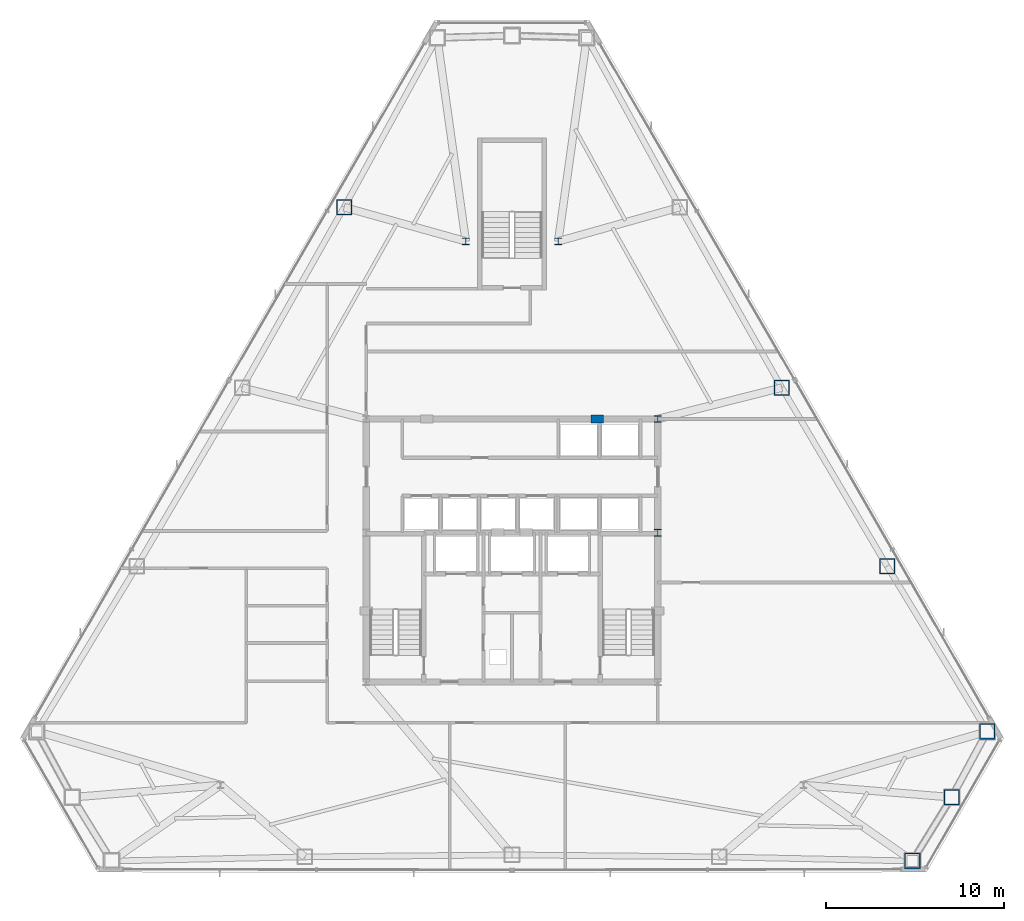
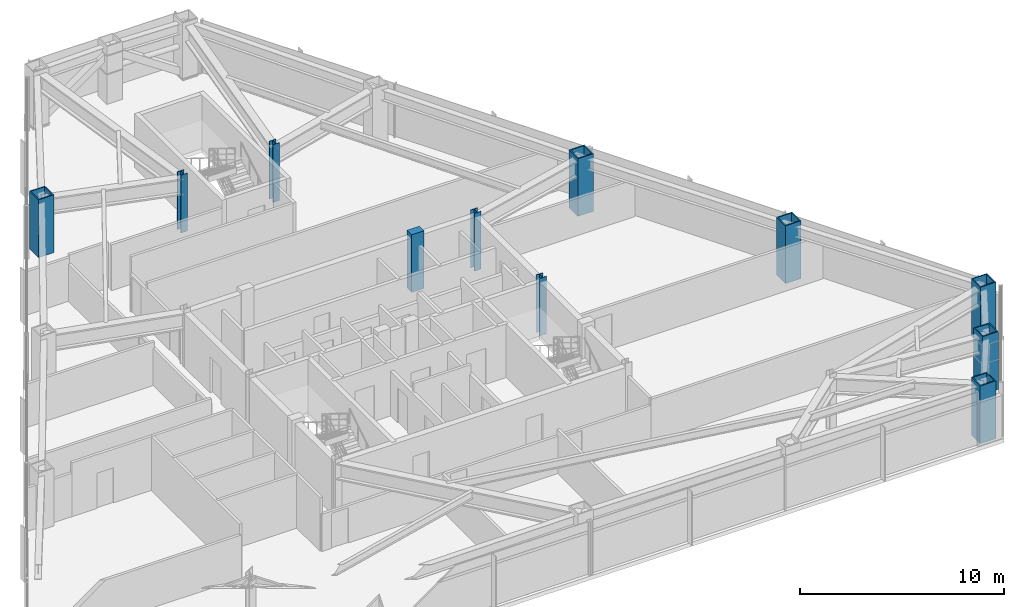
# One storey, part 2 of 13: 11 columns.
"""IFC4 building model written with IfcOpenShell, lengths in metres."""

from ifc_helpers import new_model, si_unit, direction, frame, origin, origin_2d, place, context, subcontext, project, spatial, rectangle, hollow_rectangle, i_section, extrude, material, material_profile, profile_set, type_object, element, save


model = new_model("IFC4")

# Units and contexts
model_context = context("Model", 3, precision=1e-05, world=origin(), true_north=direction((0.0, 1.0)))
body_context = subcontext(model_context, "Body", "Model", "MODEL_VIEW")
ifc_project = project(units=[si_unit("LENGTHUNIT", "METRE"), si_unit("AREAUNIT", "SQUARE_METRE"), si_unit("VOLUMEUNIT", "CUBIC_METRE"), si_unit("PLANEANGLEUNIT", "RADIAN"), si_unit("MASSUNIT", "GRAM", prefix="KILO")], contexts=[model_context])

# Site, building, storey
site_placement = place(None, origin())
site = spatial("IfcSite", under=ifc_project, at=site_placement, CompositionType="ELEMENT")
building_placement = place(site_placement, origin())
building = spatial("IfcBuilding", under=site, at=building_placement, Name="Varakhsha Concourse Tower", CompositionType="ELEMENT")
storey_placement = place(building_placement, frame((0.0, 0.0, 126.35009765625)))
storey = spatial("IfcBuildingStorey", under=building, at=storey_placement, Name="L36", CompositionType="ELEMENT", Elevation=126.35009765625)

# Columns
ifc_material_1 = material(Name="Structural Steel ASTM A992 Grade 50", Category="steel")
ifc_material_profile_1 = material_profile(ifc_material_1, i_section(OverallWidth=0.3740234375, OverallDepth=0.3720703125, WebThickness=0.01611328125, FlangeThickness=0.02587890625, at=origin_2d()), Name="W14X132")
ifc_profile_set_1 = profile_set([ifc_material_profile_1], Name="Structural Steel ASTM A992 Grade 50")
column_type_1 = type_object("IfcColumnType", Name="CL-CORE-W14X132", PredefinedType="COLUMN", material=ifc_profile_set_1)
for number, where, z_axis, x_axis, name in (
    (1, (48.199951171875, 24.800048828125, 0.0), (0.0, 0.0, 1.0), (1.0, 0.0, 0.0), "L36 Core Column CC-ME"),
    (2, (48.199951171875, 31.199951171875, 0.0), (0.0, 0.0, 1.0), (1.0, 0.0, 0.0), "L36 Core Column CC-NE"),
    (3, (37.39990234375, 41.199951171875, 0.0), (0.0, 0.0, 1.0), (1.0, 0.0, 0.0), "L36 Core Column NS-W"),
    (4, (42.60009765625, 41.199951171875, 0.0), (0.0, 0.0, 1.0), (1.0, 0.0, 0.0), "L36 Core Column NS-E"),
):
    element("IfcColumn", number, at=place(storey_placement, frame(where, z_axis=z_axis, x_axis=x_axis)), inside=storey, type_object=column_type_1, Name=name, PredefinedType="COLUMN", context=body_context, shape_type="SweptSolid", body=[
        extrude(i_section(OverallWidth=0.3740234375, OverallDepth=0.3720703125, WebThickness=0.01611328125, FlangeThickness=0.02587890625, at=origin_2d()), origin(), (0.0, 0.0, 1.0), 3.449951171875),
    ])
ifc_material_2 = material(Name="Concrete fc 65 MPa", Category="concrete")
ifc_material_profile_2 = material_profile(ifc_material_2, rectangle(XDim=0.699951171875, YDim=0.449951171875, at=origin_2d()), Name="RC 700x450")
ifc_profile_set_2 = profile_set([ifc_material_profile_2], Name="Concrete fc 65 MPa")
column_type_2 = type_object("IfcColumnType", Name="CL-PIL-700X450", PredefinedType="PILASTER", material=ifc_profile_set_2)
column_placement = place(storey_placement, frame((44.800048828125, 31.199951171875, 0.0), z_axis=(0.0, 0.0, 1.0), x_axis=(1.0, 0.0, 0.0)))
element("IfcColumn", 5, at=column_placement, inside=storey, type_object=column_type_2, Name="L36 Core Boundary Pilaster PIL-N2", PredefinedType="PILASTER", context=body_context, shape_type="SweptSolid", body=[
    extrude(rectangle(XDim=0.699951171875, YDim=0.449951171875, at=origin_2d()), origin(), (0.0, 0.0, 1.0), 3.449951171875),
])
ifc_material_3 = material(Name="Structural Steel ASTM A572 Grade 50", Category="steel")
ifc_material_profile_3 = material_profile(ifc_material_3, hollow_rectangle(XDim=0.8798828125, YDim=0.8798828125, WallThickness=0.06005859375, at=origin_2d()), Name="BOX 880x880x60")
ifc_profile_set_3 = profile_set([ifc_material_profile_3], Name="Structural Steel ASTM A572 Grade 50")
column_type_3 = type_object("IfcColumnType", Name="CL-TUBE-880", PredefinedType="COLUMN", material=ifc_profile_set_3)
for number, where, z_axis, x_axis, name in (
    (6, (30.554443359375, 43.120361328125, 0.0), (0.0, 0.0, 1.0), (1.0, 0.0, 0.0), "L36 Framed-Tube Column TC04"),
    (7, (62.53564453125, 6.328857421875, 0.0), (0.0, 0.0, 1.0), (1.0, 0.0, 0.0), "L36 Framed-Tube Column TC13"),
    (8, (64.7451171875, 9.913330078125, 0.0), (0.0, 0.0, 1.0), (1.0, 0.0, 0.0), "L36 Framed-Tube Column TC14"),
    (9, (66.744873046875, 13.619140625, 0.0), (0.0, 0.0, 1.0), (1.0, 0.0, 0.0), "L36 Framed-Tube Column TC15"),
    (10, (61.1083984375, 22.919921875, 0.0), (0.0, 0.0, 1.0), (1.0, 0.0, 0.0), "L36 Framed-Tube Column TC16"),
    (11, (55.180419921875, 32.96435546875, 0.0), (0.0, 0.0, 1.0), (1.0, 0.0, 0.0), "L36 Framed-Tube Column TC17"),
):
    element("IfcColumn", number, at=place(storey_placement, frame(where, z_axis=z_axis, x_axis=x_axis)), inside=storey, type_object=column_type_3, Name=name, PredefinedType="COLUMN", context=body_context, shape_type="SweptSolid", body=[
        extrude(hollow_rectangle(XDim=0.8798828125, YDim=0.8798828125, WallThickness=0.06005859375, at=origin_2d()), origin(), (0.0, 0.0, 1.0), 3.449951171875),
    ])

save(model, "model.ifc")
